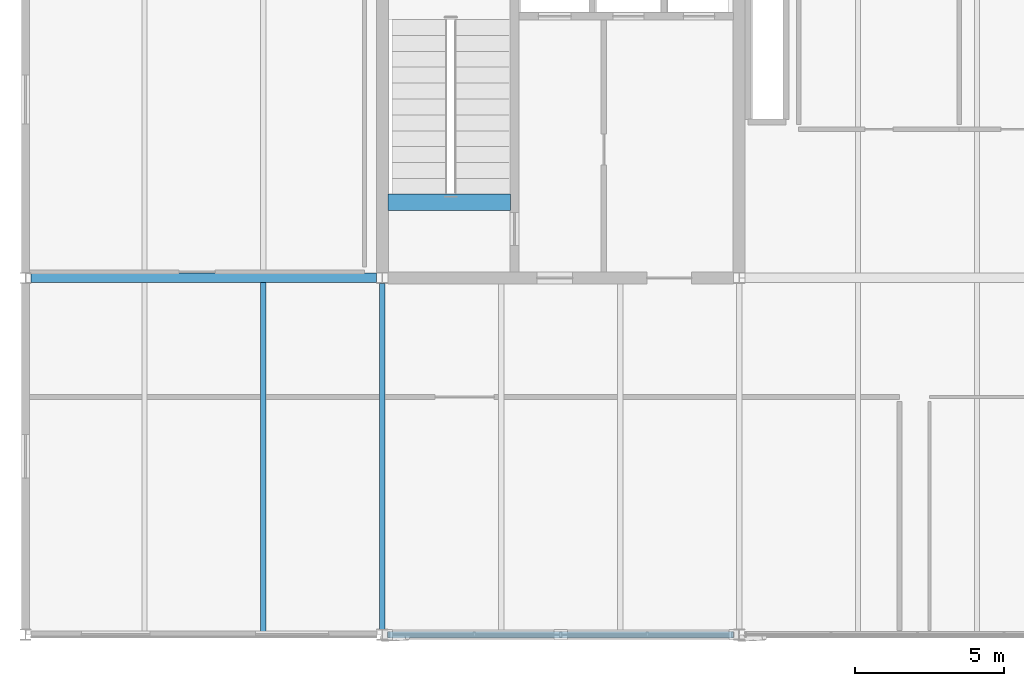
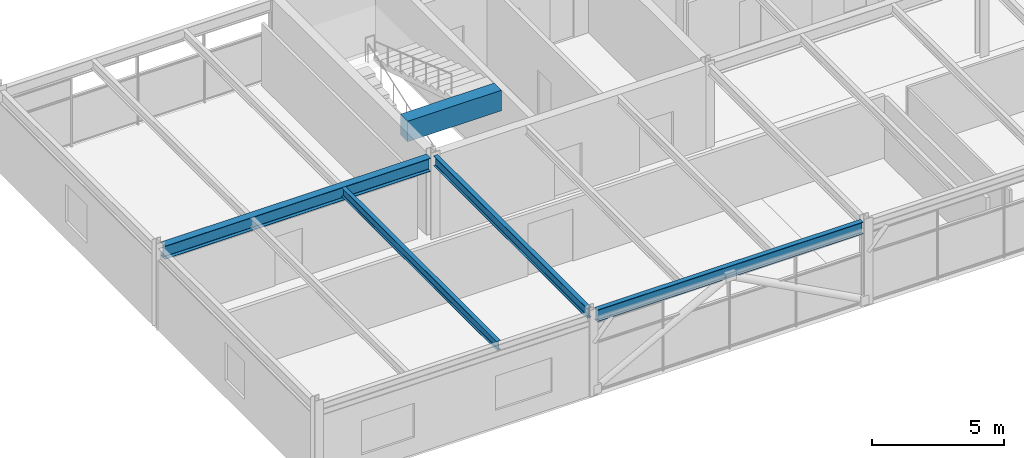
# One storey, part 6 of 40: 5 beams.
"""IFC4 building model written with IfcOpenShell, lengths in metres."""

from ifc_helpers import new_model, si_unit, direction, frame, origin, origin_2d, place, context, subcontext, project, spatial, rectangle, i_section, extrude, material, material_profile, profile_set, type_object, element, save


model = new_model("IFC4")

# Units and contexts
model_context = context("Model", 3, precision=1e-05, world=origin(), true_north=direction((0.0, 1.0)))
body_context = subcontext(model_context, "Body", "Model", "MODEL_VIEW")
ifc_project = project(units=[si_unit("LENGTHUNIT", "METRE"), si_unit("AREAUNIT", "SQUARE_METRE"), si_unit("VOLUMEUNIT", "CUBIC_METRE"), si_unit("PLANEANGLEUNIT", "RADIAN"), si_unit("MASSUNIT", "GRAM", prefix="KILO")], contexts=[model_context])

# Site, building, storey
site_placement = place(None, origin())
site = spatial("IfcSite", under=ifc_project, at=site_placement, CompositionType="ELEMENT")
building_placement = place(site_placement, origin())
building = spatial("IfcBuilding", under=site, at=building_placement, Name="Girod Span Mobility Hub", CompositionType="ELEMENT")
storey_placement = place(building_placement, frame((0.0, 0.0, 57.60009765625)))
storey = spatial("IfcBuildingStorey", under=building, at=storey_placement, Name="L14", CompositionType="ELEMENT", Elevation=57.60009765625)

# Beams
ifc_material_1 = material(Name="Concrete C40/50", Category="concrete")
ifc_material_profile_1 = material_profile(ifc_material_1, rectangle(XDim=0.550048828125, YDim=0.949951171875, at=origin_2d()), Name="RK-550X950")
ifc_profile_set_1 = profile_set([ifc_material_profile_1], Name="Concrete C40/50")
beam_type_1 = type_object("IfcBeamType", Name="BM-RK-550X950", PredefinedType="BEAM", material=ifc_profile_set_1)
beam_1_placement = place(storey_placement, frame((48.197021484375, 59.550048828125, 3.375), z_axis=(1.0, 0.0, 0.0), x_axis=(0.0, 1.0, 0.0)))
element("IfcBeam", 1, at=beam_1_placement, inside=storey, type_object=beam_type_1, Name="Stair ST-1 Landing Header Beam L14", PredefinedType="BEAM", context=body_context, shape_type="SweptSolid", body=[
    extrude(rectangle(XDim=0.550048828125, YDim=0.949951171875, at=origin_2d()), origin(), (0.0, 0.0, 1.0), 4.10595703125),
])
ifc_material_2 = material(Name="Steel A992 Grade 50", Category="steel")
ifc_material_profile_2 = material_profile(ifc_material_2, i_section(OverallWidth=0.178955078125, OverallDepth=0.409912109375, WebThickness=0.0087890625, FlangeThickness=0.014404296875, FilletRadius=0.012939453125, at=origin_2d()), Name="W16X45")
ifc_profile_set_2 = profile_set([ifc_material_profile_2], Name="Steel A992 Grade 50")
beam_type_2 = type_object("IfcBeamType", Name="BM-STL-W16X45", PredefinedType="BEAM", material=ifc_profile_set_2)
beam_2_placement = place(storey_placement, frame((44.0, 45.10302734375, 3.554931640625), z_axis=(0.0, 1.0, 0.0), x_axis=(-1.0, 0.0, 0.0)))
element("IfcBeam", 2, at=beam_2_placement, inside=storey, type_object=beam_type_2, Name="Composite Floorbeam 4/D-2 L14", PredefinedType="BEAM", context=body_context, shape_type="SweptSolid", body=[
    extrude(i_section(OverallWidth=0.178955078125, OverallDepth=0.409912109375, WebThickness=0.0087890625, FlangeThickness=0.014404296875, FilletRadius=0.012939453125, at=origin_2d()), origin(), (0.0, 0.0, 1.0), 11.738037109375),
])
ifc_material_3 = material(Name="Steel A992 Grade 50", Category="steel")
ifc_material_profile_3 = material_profile(ifc_material_3, i_section(OverallWidth=0.19189453125, OverallDepth=0.462890625, WebThickness=0.010498046875, FlangeThickness=0.017578125, FilletRadius=0.013916015625, at=origin_2d()), Name="W18X60")
ifc_profile_set_3 = profile_set([ifc_material_profile_3], Name="Steel A992 Grade 50")
beam_type_3 = type_object("IfcBeamType", Name="BM-STL-W18X60", PredefinedType="BEAM", material=ifc_profile_set_3)
beam_3_placement = place(storey_placement, frame((48.0, 45.175048828125, 3.618408203125), z_axis=(0.0, 1.0, 0.0), x_axis=(-1.0, 0.0, 0.0)))
element("IfcBeam", 3, at=beam_3_placement, inside=storey, type_object=beam_type_3, Name="Tie Girder 5/D-E L14", PredefinedType="BEAM", context=body_context, shape_type="SweptSolid", body=[
    extrude(i_section(OverallWidth=0.19189453125, OverallDepth=0.462890625, WebThickness=0.010498046875, FlangeThickness=0.017578125, FilletRadius=0.013916015625, at=origin_2d()), origin(), (0.0, 0.0, 1.0), 11.640380859375),
])
ifc_material_4 = material(Name="Steel A992 Grade 50", Category="steel")
ifc_material_profile_4 = material_profile(ifc_material_4, i_section(OverallWidth=0.2119140625, OverallDepth=0.5439453125, WebThickness=0.01318359375, FlangeThickness=0.021240234375, FilletRadius=0.014892578125, at=origin_2d()), Name="W21X83")
ifc_profile_set_4 = profile_set([ifc_material_profile_4], Name="Steel A992 Grade 50")
beam_type_4 = type_object("IfcBeamType", Name="BM-STL-W21X83", PredefinedType="SPANDREL", material=ifc_profile_set_4)
beam_4_placement = place(storey_placement, frame((48.181396484375, 45.0, 3.577880859375), z_axis=(1.0, 0.0, 0.0), x_axis=(0.0, 1.0, 0.0)))
element("IfcBeam", 4, at=beam_4_placement, inside=storey, type_object=beam_type_4, Name="Girder 5-6/D L14", PredefinedType="SPANDREL", context=body_context, shape_type="SweptSolid", body=[
    extrude(i_section(OverallWidth=0.2119140625, OverallDepth=0.5439453125, WebThickness=0.01318359375, FlangeThickness=0.021240234375, FilletRadius=0.014892578125, at=origin_2d()), origin(), (0.0, 0.0, 1.0), 11.63720703125),
])
ifc_material_5 = material(Name="Steel A992 Grade 50", Category="steel")
ifc_material_profile_5 = material_profile(ifc_material_5, i_section(OverallWidth=0.323974609375, OverallDepth=0.611083984375, WebThickness=0.0126953125, FlangeThickness=0.01904296875, FilletRadius=0.014892578125, at=origin_2d()), Name="W24X104")
ifc_profile_set_5 = profile_set([ifc_material_profile_5], Name="Steel A992 Grade 50")
beam_type_5 = type_object("IfcBeamType", Name="BM-STL-W24X104", PredefinedType="BEAM", material=ifc_profile_set_5)
beam_5_placement = place(storey_placement, frame((36.181396484375, 57.0, 3.454345703125), z_axis=(1.0, 0.0, 0.0), x_axis=(0.0, 1.0, 0.0)))
element("IfcBeam", 5, at=beam_5_placement, inside=storey, type_object=beam_type_5, Name="Girder 4-5/E L14", PredefinedType="BEAM", context=body_context, shape_type="SweptSolid", body=[
    extrude(i_section(OverallWidth=0.323974609375, OverallDepth=0.611083984375, WebThickness=0.0126953125, FlangeThickness=0.01904296875, FilletRadius=0.014892578125, at=origin_2d()), origin(), (0.0, 0.0, 1.0), 11.62451171875),
])

save(model, "model.ifc")
